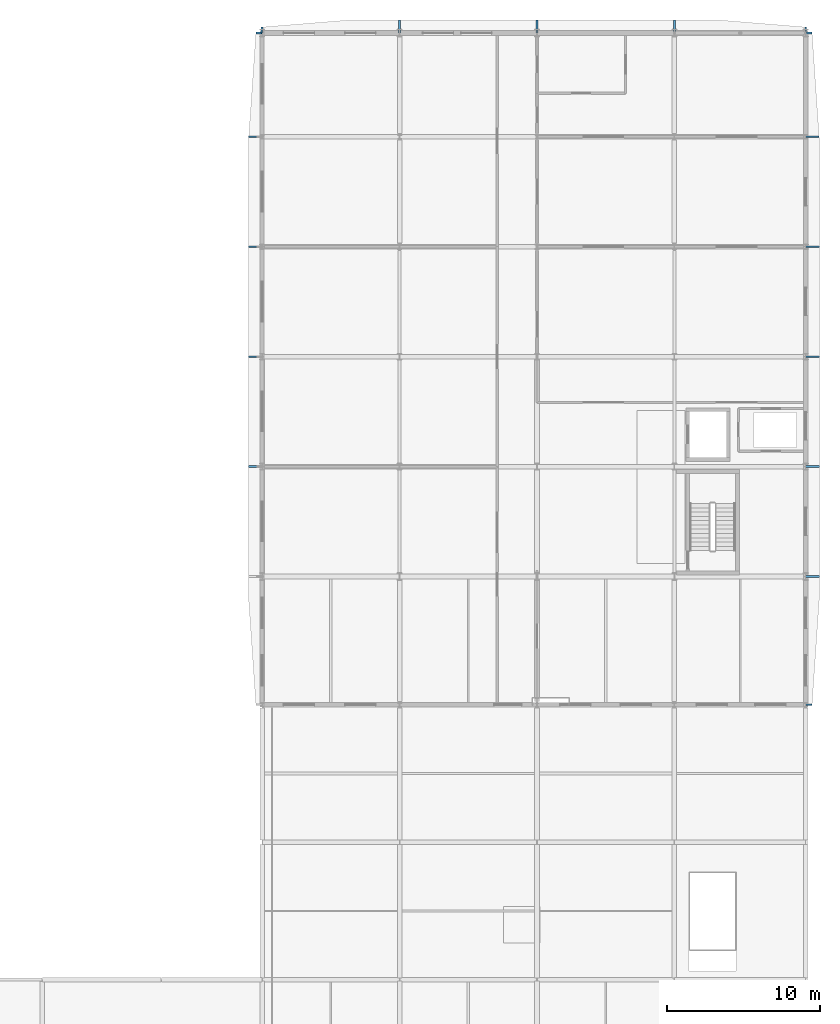
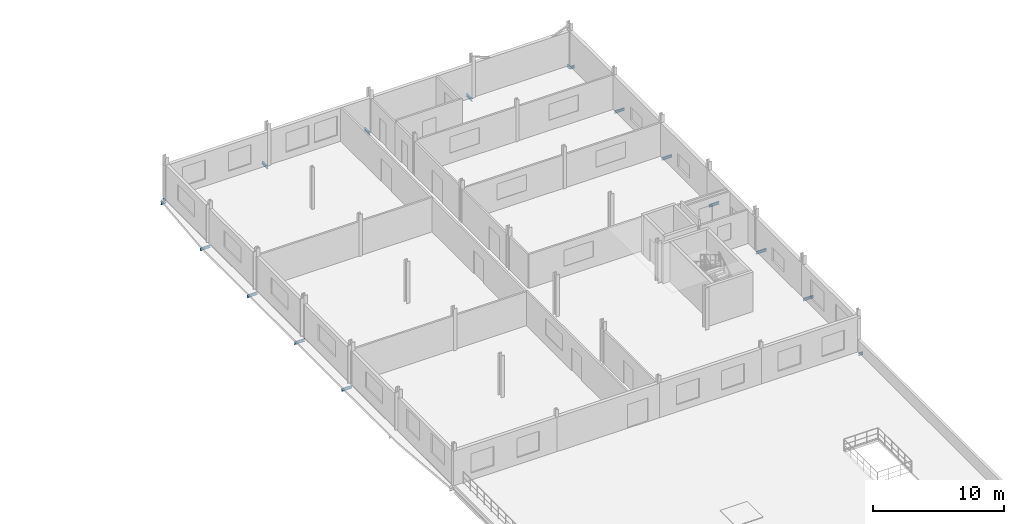
# One storey, part 49 of 78: 17 beams.
"""IFC4 building model written with IfcOpenShell, lengths in metres."""

from ifc_helpers import new_model, si_unit, direction, frame, origin, origin_2d, place, context, subcontext, project, spatial, i_section, extrude, material, material_profile, profile_set, type_object, element, save


model = new_model("IFC4")

# Units and contexts
model_context = context("Model", 3, precision=1e-05, world=origin(), true_north=direction((0.0, 1.0)))
body_context = subcontext(model_context, "Body", "Model", "MODEL_VIEW")
ifc_project = project(units=[si_unit("LENGTHUNIT", "METRE"), si_unit("AREAUNIT", "SQUARE_METRE"), si_unit("VOLUMEUNIT", "CUBIC_METRE"), si_unit("PLANEANGLEUNIT", "RADIAN"), si_unit("MASSUNIT", "GRAM", prefix="KILO")], contexts=[model_context])

# Site, building, storey
site_placement = place(None, origin())
site = spatial("IfcSite", under=ifc_project, at=site_placement, CompositionType="ELEMENT")
building_placement = place(site_placement, origin())
building = spatial("IfcBuilding", under=site, at=building_placement, Name="Vinh Khe Railworks Police Headquarters", CompositionType="ELEMENT")
storey_placement = place(building_placement, frame((0.0, 0.0, 13.199951171875)))
storey = spatial("IfcBuildingStorey", under=building, at=storey_placement, Name="L03", CompositionType="ELEMENT", Elevation=13.199951171875)

# Beams
ifc_material = material(Name="Steel S355JR", Category="steel")
ifc_material_profile = material_profile(ifc_material, i_section(OverallWidth=0.1201171875, OverallDepth=0.239990234375, WebThickness=0.006103515625, FlangeThickness=0.009765625, FilletRadius=0.014892578125, at=origin_2d()), Name="IPE 240")
ifc_profile_set = profile_set([ifc_material_profile], Name="Steel S355JR")
beam_type = type_object("IfcBeamType", Name="Monsoon Hood Outrigger IPE 240", PredefinedType="BEAM", material=ifc_profile_set)
for number, where, z_axis, x_axis, name in (
    (1, (77.10009765625, 138.0, -0.35986328125), (1.0, 0.0, 0.0), (0.0, 1.0, 0.0), "Monsoon Sun-Hood Outrigger L03-193"),
    (2, (77.10009765625, 145.199951171875, -0.35986328125), (1.0, 0.0, 0.0), (0.0, 1.0, 0.0), "Monsoon Sun-Hood Outrigger L03-194"),
    (3, (77.10009765625, 152.39990234375, -0.35986328125), (1.0, 0.0, 0.0), (0.0, 1.0, 0.0), "Monsoon Sun-Hood Outrigger L03-195"),
):
    element("IfcBeam", number, at=place(storey_placement, frame(where, z_axis=z_axis, x_axis=x_axis)), inside=storey, type_object=beam_type, Name=name, PredefinedType="BEAM", context=body_context, shape_type="SweptSolid", body=[
        extrude(i_section(OverallWidth=0.1201171875, OverallDepth=0.239990234375, WebThickness=0.006103515625, FlangeThickness=0.009765625, FilletRadius=0.014892578125, at=origin_2d()), origin(), (0.0, 0.0, 1.0), 0.89990234375),
    ])
beam_1_placement = place(storey_placement, frame((77.11669921875, 159.60009765625, -0.35986328125), z_axis=(1.0, 0.0, 0.0), x_axis=(0.0, 1.0, 0.0)))
element("IfcBeam", 4, at=beam_1_placement, inside=storey, type_object=beam_type, Name="Monsoon Sun-Hood Outrigger L03-196", PredefinedType="BEAM", context=body_context, shape_type="SweptSolid", body=[
    extrude(i_section(OverallWidth=0.1201171875, OverallDepth=0.239990234375, WebThickness=0.006103515625, FlangeThickness=0.009765625, FilletRadius=0.014892578125, at=origin_2d()), origin(), (0.0, 0.0, 1.0), 0.88330078125),
])
beam_2_placement = place(storey_placement, frame((77.58740234375, 166.39990234375, -0.35986328125), z_axis=(1.0, 0.0, 0.0), x_axis=(0.0, 1.0, 0.0)))
element("IfcBeam", 5, at=beam_2_placement, inside=storey, type_object=beam_type, Name="Monsoon Sun-Hood Outrigger L03-197", PredefinedType="BEAM", context=body_context, shape_type="SweptSolid", body=[
    extrude(i_section(OverallWidth=0.1201171875, OverallDepth=0.239990234375, WebThickness=0.006103515625, FlangeThickness=0.009765625, FilletRadius=0.014892578125, at=origin_2d()), origin(), (0.0, 0.0, 1.0), 0.41259765625),
])
beam_3_placement = place(storey_placement, frame((113.60009765625, 122.39990234375, -0.35986328125), z_axis=(1.0, 0.0, 0.0), x_axis=(0.0, 1.0, 0.0)))
element("IfcBeam", 6, at=beam_3_placement, inside=storey, type_object=beam_type, Name="Monsoon Sun-Hood Outrigger L03-198", PredefinedType="BEAM", context=body_context, shape_type="SweptSolid", body=[
    extrude(i_section(OverallWidth=0.1201171875, OverallDepth=0.239990234375, WebThickness=0.006103515625, FlangeThickness=0.009765625, FilletRadius=0.014892578125, at=origin_2d()), origin(), (0.0, 0.0, 1.0), 0.4189453125),
])
for number, where, z_axis, x_axis, name in (
    (7, (113.60009765625, 130.800048828125, -0.35986328125), (1.0, 0.0, 0.0), (0.0, 1.0, 0.0), "Monsoon Sun-Hood Outrigger L03-199"),
    (8, (113.60009765625, 138.0, -0.35986328125), (1.0, 0.0, 0.0), (0.0, 1.0, 0.0), "Monsoon Sun-Hood Outrigger L03-200"),
    (9, (113.60009765625, 145.199951171875, -0.35986328125), (1.0, 0.0, 0.0), (0.0, 1.0, 0.0), "Monsoon Sun-Hood Outrigger L03-201"),
    (10, (113.60009765625, 152.39990234375, -0.35986328125), (1.0, 0.0, 0.0), (0.0, 1.0, 0.0), "Monsoon Sun-Hood Outrigger L03-202"),
):
    element("IfcBeam", number, at=place(storey_placement, frame(where, z_axis=z_axis, x_axis=x_axis)), inside=storey, type_object=beam_type, Name=name, PredefinedType="BEAM", context=body_context, shape_type="SweptSolid", body=[
        extrude(i_section(OverallWidth=0.1201171875, OverallDepth=0.239990234375, WebThickness=0.006103515625, FlangeThickness=0.009765625, FilletRadius=0.014892578125, at=origin_2d()), origin(), (0.0, 0.0, 1.0), 0.89990234375),
    ])
beam_4_placement = place(storey_placement, frame((113.60009765625, 159.60009765625, -0.35986328125), z_axis=(1.0, 0.0, 0.0), x_axis=(0.0, 1.0, 0.0)))
element("IfcBeam", 11, at=beam_4_placement, inside=storey, type_object=beam_type, Name="Monsoon Sun-Hood Outrigger L03-203", PredefinedType="BEAM", context=body_context, shape_type="SweptSolid", body=[
    extrude(i_section(OverallWidth=0.1201171875, OverallDepth=0.239990234375, WebThickness=0.006103515625, FlangeThickness=0.009765625, FilletRadius=0.014892578125, at=origin_2d()), origin(), (0.0, 0.0, 1.0), 0.883544921875),
])
beam_5_placement = place(storey_placement, frame((113.60009765625, 166.39990234375, -0.35986328125), z_axis=(1.0, 0.0, 0.0), x_axis=(0.0, 1.0, 0.0)))
element("IfcBeam", 12, at=beam_5_placement, inside=storey, type_object=beam_type, Name="Monsoon Sun-Hood Outrigger L03-204", PredefinedType="BEAM", context=body_context, shape_type="SweptSolid", body=[
    extrude(i_section(OverallWidth=0.1201171875, OverallDepth=0.239990234375, WebThickness=0.006103515625, FlangeThickness=0.009765625, FilletRadius=0.014892578125, at=origin_2d()), origin(), (0.0, 0.0, 1.0), 0.4189453125),
])
beam_6_placement = place(storey_placement, frame((78.0, 166.39990234375, -0.35986328125), z_axis=(0.0, 1.0, 0.0), x_axis=(-1.0, 0.0, 0.0)))
element("IfcBeam", 13, at=beam_6_placement, inside=storey, type_object=beam_type, Name="Monsoon Sun-Hood Outrigger L03-205", PredefinedType="BEAM", context=body_context, shape_type="SweptSolid", body=[
    extrude(i_section(OverallWidth=0.1201171875, OverallDepth=0.239990234375, WebThickness=0.006103515625, FlangeThickness=0.009765625, FilletRadius=0.014892578125, at=origin_2d()), origin(), (0.0, 0.0, 1.0), 0.388671875),
])
for number, where, z_axis, x_axis, name in (
    (14, (87.0, 166.39990234375, -0.35986328125), (0.0, 1.0, 0.0), (-1.0, 0.0, 0.0), "Monsoon Sun-Hood Outrigger L03-206"),
    (15, (96.0, 166.39990234375, -0.35986328125), (0.0, 1.0, 0.0), (-1.0, 0.0, 0.0), "Monsoon Sun-Hood Outrigger L03-207"),
    (16, (105.0, 166.39990234375, -0.35986328125), (0.0, 1.0, 0.0), (-1.0, 0.0, 0.0), "Monsoon Sun-Hood Outrigger L03-208"),
):
    element("IfcBeam", number, at=place(storey_placement, frame(where, z_axis=z_axis, x_axis=x_axis)), inside=storey, type_object=beam_type, Name=name, PredefinedType="BEAM", context=body_context, shape_type="SweptSolid", body=[
        extrude(i_section(OverallWidth=0.1201171875, OverallDepth=0.239990234375, WebThickness=0.006103515625, FlangeThickness=0.009765625, FilletRadius=0.014892578125, at=origin_2d()), origin(), (0.0, 0.0, 1.0), 0.85009765625),
    ])
beam_7_placement = place(storey_placement, frame((113.60009765625, 166.39990234375, -0.35986328125), z_axis=(0.0, 1.0, 0.0), x_axis=(-1.0, 0.0, 0.0)))
element("IfcBeam", 17, at=beam_7_placement, inside=storey, type_object=beam_type, Name="Monsoon Sun-Hood Outrigger L03-209", PredefinedType="BEAM", context=body_context, shape_type="SweptSolid", body=[
    extrude(i_section(OverallWidth=0.1201171875, OverallDepth=0.239990234375, WebThickness=0.006103515625, FlangeThickness=0.009765625, FilletRadius=0.014892578125, at=origin_2d()), origin(), (0.0, 0.0, 1.0), 0.388671875),
])

save(model, "model.ifc")
